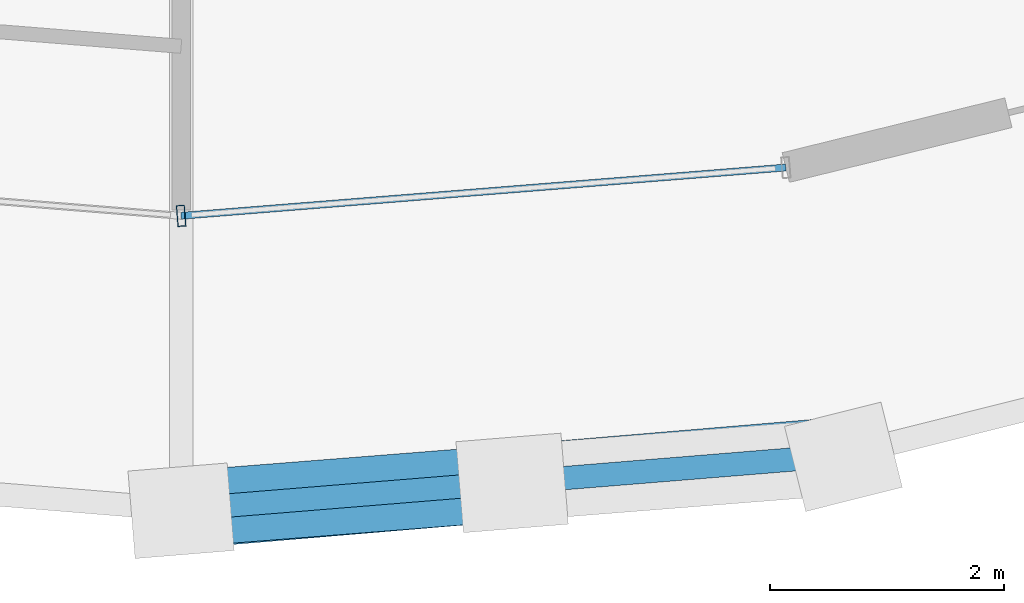
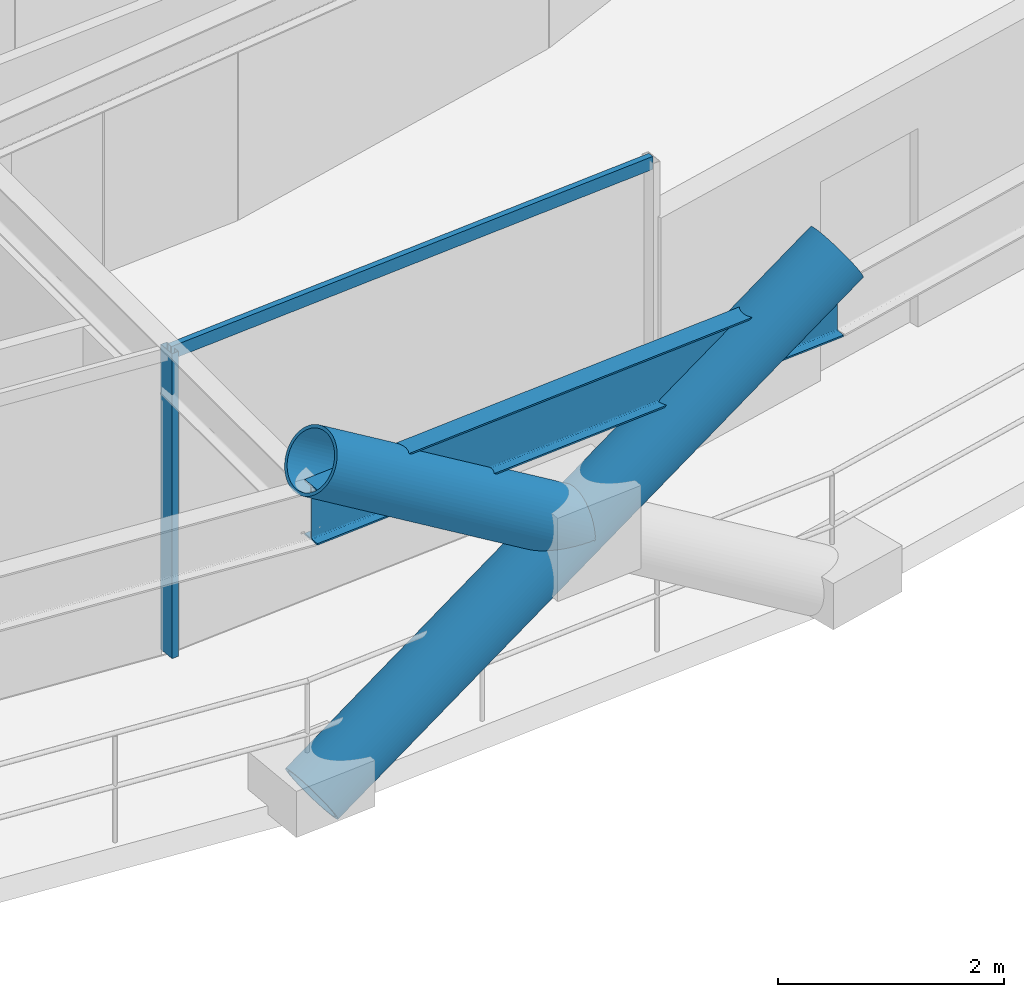
# One storey, part 4 of 22: 4 members, 1 beam, 1 element without a shape of its own.
"""IFC4 building model written with IfcOpenShell, lengths in metres."""

from ifc_helpers import new_model, si_unit, direction, frame, origin, origin_2d, place, context, subcontext, project, spatial, hollow_rectangle, hollow_circle, i_section, extrude, material, layer, layer_set, material_profile, profile_set, type_object, element, aggregate, save


model = new_model("IFC4")

# Units and contexts
model_context = context("Model", 3, precision=1e-05, world=origin(), true_north=direction((0.0, 1.0)))
body_context = subcontext(model_context, "Body", "Model", "MODEL_VIEW")
ifc_project = project(units=[si_unit("LENGTHUNIT", "METRE"), si_unit("AREAUNIT", "SQUARE_METRE"), si_unit("VOLUMEUNIT", "CUBIC_METRE"), si_unit("PLANEANGLEUNIT", "RADIAN"), si_unit("MASSUNIT", "GRAM", prefix="KILO")], contexts=[model_context])

# Site, building, storey
site_placement = place(None, origin())
site = spatial("IfcSite", under=ifc_project, at=site_placement, CompositionType="ELEMENT")
building_placement = place(site_placement, origin())
building = spatial("IfcBuilding", under=site, at=building_placement, Name="Veldorina Hangang Commons", CompositionType="ELEMENT")
storey_placement = place(building_placement, frame((0.0, 0.0, 80.800048828125)))
storey = spatial("IfcBuildingStorey", under=building, at=storey_placement, Name="L20", CompositionType="ELEMENT", Elevation=80.800048828125)

# Beam
ifc_material_1 = material(Name="Steel SM420-TMC", Category="steel")
ifc_material_profile_1 = material_profile(ifc_material_1, i_section(OverallWidth=0.199951171875, OverallDepth=0.60009765625, WebThickness=0.010986328125, FlangeThickness=0.01708984375, FilletRadius=0.01806640625, at=origin_2d()), Name="H-600x200x11x17")
ifc_profile_set_1 = profile_set([ifc_material_profile_1], Name="Steel SM420-TMC")
beam_type = type_object("IfcBeamType", Name="BM-RB600", PredefinedType="BEAM", material=ifc_profile_set_1)
beam_placement = place(storey_placement, frame((32.0, 0.012451171875, 3.0400390625), z_axis=(0.996693441702, 0.081253820024, 0.0), x_axis=(-0.081253820024, 0.996693441702, 0.0)))
element("IfcBeam", 1, at=beam_placement, inside=storey, type_object=beam_type, Name="L20 perimeter hoop ring beam 24", PredefinedType="BEAM", context=body_context, shape_type="SweptSolid", body=[
    extrude(i_section(OverallWidth=0.199951171875, OverallDepth=0.60009765625, WebThickness=0.010986328125, FlangeThickness=0.01708984375, FilletRadius=0.01806640625, at=origin_2d()), origin(), (0.0, 0.0, 1.0), 5.6728515625),
])

# Curtain wall, members
ifc_material_2 = material(Name="Glass Low-E Triple IGU", Category="glass")
ifc_layer = layer(ifc_material_2, 0.179931640625)
ifc_layer_set = layer_set([ifc_layer], Name="Glass Low-E Triple IGU")
curtain_wall_type = type_object("IfcCurtainWallType", Name="CW-SYS-Z1", PredefinedType="NOTDEFINED", material=ifc_layer_set)
curtain_wall_placement = place(storey_placement, origin())
curtain_wall = element("IfcCurtainWall", 2, at=curtain_wall_placement, inside=storey, type_object=curtain_wall_type, Name="L20 unitised curtain wall CW-L20-R1", PredefinedType="NOTDEFINED")
ifc_material_3 = material(Name="Aluminium Anodized AA6063-T6", Category="aluminium")
ifc_material_profile_2 = material_profile(ifc_material_3, hollow_rectangle(XDim=0.070068359375, YDim=0.179931640625, WallThickness=0.00390625, at=origin_2d()), Name="ALU-RHS-180x70x4")
ifc_profile_set_2 = profile_set([ifc_material_profile_2], Name="Aluminium Anodized AA6063-T6")
member_type_1 = type_object("IfcMemberType", Name="CW-MUL-180", PredefinedType="MULLION", material=ifc_profile_set_2)
member_1_placement = place(storey_placement, frame((32.0, 2.52001953125, 0.0), z_axis=(0.0, 0.0, 1.0), x_axis=(0.996823514521, 0.079642205503, 0.0)))
member_1 = element("IfcMember", 3, at=member_1_placement, type_object=member_type_1, Name="CW-L20-R1 vertical mullion 3", PredefinedType="MULLION", context=body_context, shape_type="SweptSolid", body=[
    extrude(hollow_rectangle(XDim=0.070068359375, YDim=0.179931640625, WallThickness=0.00390625, at=origin_2d()), origin(), (0.0, 0.0, 1.0), 3.300048828125),
])
ifc_material_profile_3 = material_profile(ifc_material_3, hollow_rectangle(XDim=0.06005859375, YDim=0.139892578125, WallThickness=0.00341796875, at=origin_2d()), Name="ALU-RHS-140x60x3.5")
ifc_profile_set_3 = profile_set([ifc_material_profile_3], Name="Aluminium Anodized AA6063-T6")
member_type_2 = type_object("IfcMemberType", Name="CW-TRN-140", PredefinedType="USERDEFINED", material=ifc_profile_set_3)
member_2_placement = place(storey_placement, frame((32.0, 2.52001953125, 3.260009765625), z_axis=(0.996825755222, 0.079614155308, 0.0), x_axis=(-0.079614155308, 0.996825755222, 0.0)))
member_2 = element("IfcMember", 4, at=member_2_placement, type_object=member_type_2, Name="CW-L20-R1 facet 4 transom 1", ObjectType="TRANSOM", PredefinedType="USERDEFINED", context=body_context, shape_type="SweptSolid", body=[
    extrude(hollow_rectangle(XDim=0.06005859375, YDim=0.139892578125, WallThickness=0.00341796875, at=origin_2d()), origin(), (0.0, 0.0, 1.0), 5.182373046875),
])
aggregate(curtain_wall, [member_1, member_2])

# Members
ifc_material_4 = material(Name="Steel SM460-TMC", Category="steel")
ifc_material_profile_4 = material_profile(ifc_material_4, hollow_circle(Radius=0.324951171875, WallThickness=0.031982421875, at=origin_2d()), Name="CHS-650x32")
ifc_profile_set_4 = profile_set([ifc_material_profile_4], Name="Steel SM460-TMC")
member_type_3 = type_object("IfcMemberType", Name="DG-CHS650", PredefinedType="BRACE", material=ifc_profile_set_4)
member_3_placement = place(storey_placement, frame((32.0, 0.0, 0.0), z_axis=(0.841401888102, 0.070779931685, 0.535754667706), x_axis=(-0.083825363275, 0.996480460657, 0.0)))
element("IfcMember", 5, at=member_3_placement, inside=storey, type_object=member_type_3, Name="L20 continuous perimeter diagrid brace 24", PredefinedType="BRACE", context=body_context, shape_type="SweptSolid", body=[
    extrude(hollow_circle(Radius=0.324951171875, WallThickness=0.031982421875, at=origin_2d()), origin(), (0.0, 0.0, 1.0), 6.71923828125),
])
member_4_placement = place(storey_placement, frame((34.827880859375, 0.23779296875, 1.800537109375), z_axis=(-0.841830953194, -0.066427824503, 0.535637928433), x_axis=(0.078664220694, -0.996901168814, 0.0)))
element("IfcMember", 6, at=member_4_placement, inside=storey, type_object=member_type_3, Name="L20 split perimeter diagrid upper brace 25", PredefinedType="BRACE", context=body_context, shape_type="SweptSolid", body=[
    extrude(hollow_circle(Radius=0.324951171875, WallThickness=0.031982421875, at=origin_2d()), origin(), (0.0, 0.0, 1.0), 3.359130859375),
])

save(model, "model.ifc")
